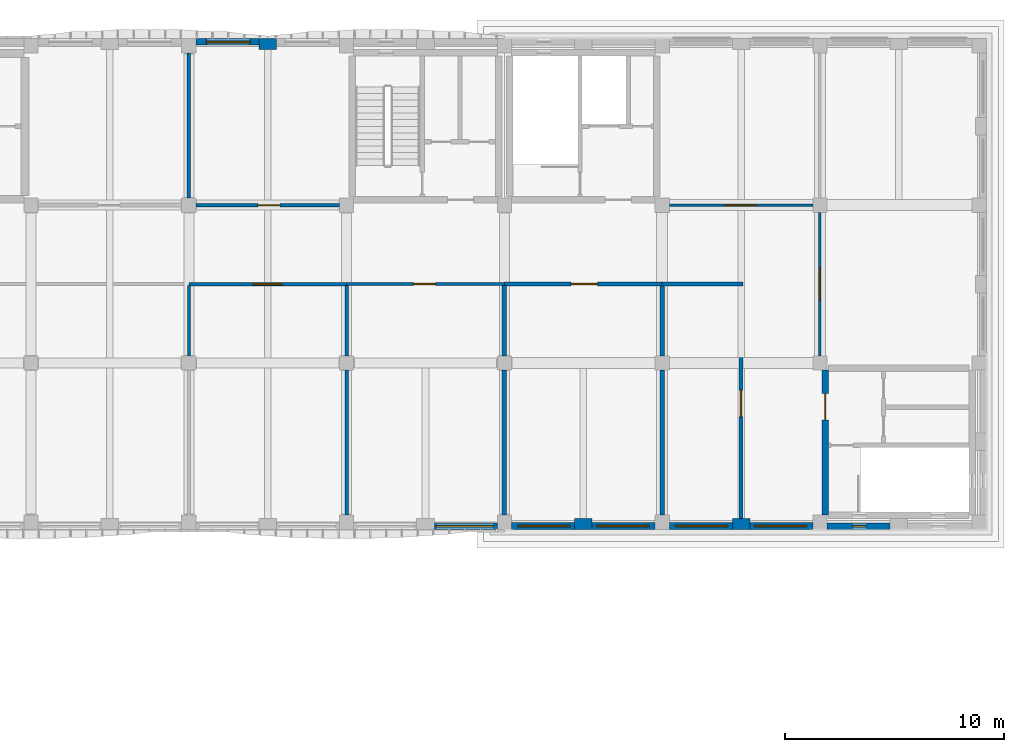
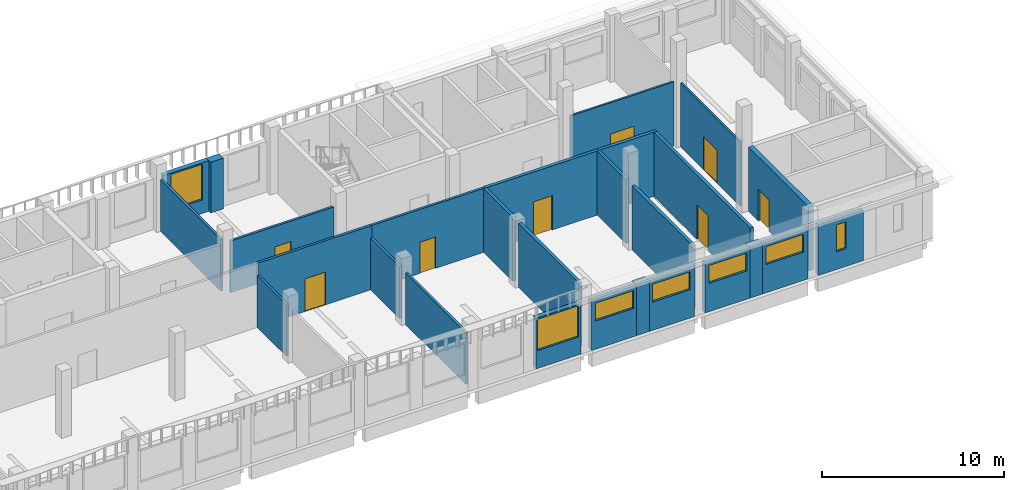
# One storey, part 30 of 58: 27 walls, 8 doors, 7 windows, 15 openings.
"""IFC4 building model written with IfcOpenShell, lengths in metres."""

from ifc_helpers import new_model, si_unit, direction, frame, frame_2d, origin, place, context, subcontext, project, spatial, rectangle, extrude, material, layer, layer_set, type_object, element, fill, save


model = new_model("IFC4")

# Units and contexts
model_context = context("Model", 3, precision=1e-05, world=origin(), true_north=direction((0.0, 1.0)))
body_context = subcontext(model_context, "Body", "Model", "MODEL_VIEW")
ifc_project = project(units=[si_unit("LENGTHUNIT", "METRE"), si_unit("AREAUNIT", "SQUARE_METRE"), si_unit("VOLUMEUNIT", "CUBIC_METRE"), si_unit("PLANEANGLEUNIT", "RADIAN"), si_unit("MASSUNIT", "GRAM", prefix="KILO")], contexts=[model_context])

# Site, building, storey
site_placement = place(None, origin())
site = spatial("IfcSite", under=ifc_project, at=site_placement, CompositionType="ELEMENT")
building_placement = place(site_placement, origin())
building = spatial("IfcBuilding", under=site, at=building_placement, Name="Ussher Court Research Institute", CompositionType="ELEMENT")
storey_placement = place(building_placement, frame((0.0, 0.0, 9.89990234375)))
storey = spatial("IfcBuildingStorey", under=building, at=storey_placement, Name="L02", CompositionType="ELEMENT", Elevation=9.89990234375)

# Wall, opening, door
ifc_material_1 = material(Name="Insulated sandwich wall panel")
ifc_layer_1 = layer(ifc_material_1, 0.1201171875)
ifc_layer_set_1 = layer_set([ifc_layer_1], Name="Insulated sandwich wall panel")
wall_type_1 = type_object("IfcWallType", Name="Clean-room panel 120 EI 60", PredefinedType="PARTITIONING", material=ifc_layer_set_1)
wall_1_placement = place(storey_placement, frame((89.72509765625, 83.199951171875, 0.0), z_axis=(0.0, 0.0, 1.0), x_axis=(1.0, 0.0, 0.0)))
wall_1 = element("IfcWall", 1, at=wall_1_placement, inside=storey, type_object=wall_type_1, Name="Fire partition", PredefinedType="PARTITIONING", context=body_context, shape_type="SweptSolid", body=[
    extrude(rectangle(XDim=6.5498046875, YDim=0.1201171875, at=frame_2d((3.27490234375, 0.0))), origin(), (0.0, 0.0, 1.0), 4.300048828125),
])
opening_1_placement = place(wall_1_placement, frame((2.52490234375, 0.0, 0.0)))
opening_1 = element("IfcOpeningElement", 2, at=opening_1_placement, cuts=wall_1, Name="Opening D02062", PredefinedType="OPENING", context=body_context, shape_type="SweptSolid", body=[
    extrude(rectangle(XDim=1.5, YDim=2.199951171875, at=frame_2d((0.75, 1.10009765625))), frame((0.0, 0.070068359375, 0.0), z_axis=(0.0, -1.0, 0.0), x_axis=(1.0, 0.0, 0.0)), (0.0, 0.0, 1.0), 0.14013671875),
])
ifc_material_2 = material(Name="Painted steel faced fire door", Category="steel")
door_type_1 = type_object("IfcDoorType", Name="Clean-room door 1500x2200 FD60", OperationType="NOTDEFINED", PredefinedType="DOOR", material=ifc_material_2)
door_1_placement = place(opening_1_placement, origin())
door_1 = element("IfcDoor", 3, at=door_1_placement, inside=storey, type_object=door_type_1, Name="Door D02062", OperationType="SINGLE_SWING_LEFT", OverallHeight=2.199951171875, OverallWidth=1.5, PredefinedType="DOOR", context=body_context, shape_type="SweptSolid", body=[
    extrude(rectangle(XDim=1.5, YDim=2.199951171875, at=frame_2d((0.75, 1.10009765625))), frame((0.0, 0.02490234375, 0.0), z_axis=(0.0, -1.0, 0.0), x_axis=(1.0, 0.0, 0.0)), (0.0, 0.0, 1.0), 0.050048828125),
])
fill(opening_1, door_1)

wall_2_placement = place(storey_placement, frame((96.60009765625, 82.875, 0.0), z_axis=(0.0, 0.0, 1.0), x_axis=(0.0, -1.0, 0.0)))
wall_2 = element("IfcWall", 4, at=wall_2_placement, inside=storey, type_object=wall_type_1, Name="Fire partition", PredefinedType="PARTITIONING", context=body_context, shape_type="SweptSolid", body=[
    extrude(rectangle(XDim=6.550048828125, YDim=0.1201171875, at=frame_2d((3.27490234375, 0.0))), origin(), (0.0, 0.0, 1.0), 4.300048828125),
])
opening_2_placement = place(wall_2_placement, frame((2.52490234375, 0.0, 0.0)))
opening_2 = element("IfcOpeningElement", 5, at=opening_2_placement, cuts=wall_2, Name="Opening D02067", PredefinedType="OPENING", context=body_context, shape_type="SweptSolid", body=[
    extrude(rectangle(XDim=1.5, YDim=2.199951171875, at=frame_2d((0.75, 1.10009765625))), frame((0.0, 0.070068359375, 0.0), z_axis=(0.0, -1.0, 0.0), x_axis=(1.0, 0.0, 0.0)), (0.0, 0.0, 1.0), 0.14013671875),
])
door_2_placement = place(opening_2_placement, origin())
door_2 = element("IfcDoor", 6, at=door_2_placement, inside=storey, type_object=door_type_1, Name="Door D02067", OperationType="SINGLE_SWING_RIGHT", OverallHeight=2.199951171875, OverallWidth=1.5, PredefinedType="DOOR", context=body_context, shape_type="SweptSolid", body=[
    extrude(rectangle(XDim=1.5, YDim=2.199951171875, at=frame_2d((0.75, 1.10009765625))), frame((0.0, 0.02490234375, 0.0), z_axis=(0.0, -1.0, 0.0), x_axis=(1.0, 0.0, 0.0)), (0.0, 0.0, 1.0), 0.050048828125),
])
fill(opening_2, door_2)

# Wall, opening, window
ifc_material_3 = material(Name="Faience facing on insulated blockwork", Category="masonry")
ifc_layer_2 = layer(ifc_material_3, 0.320068359375)
ifc_layer_set_2 = layer_set([ifc_layer_2], Name="Faience facing on insulated blockwork")
wall_type_2 = type_object("IfcWallType", Name="Clean-room wall 320 faience faced insulated panel", PredefinedType="SOLIDWALL", material=ifc_layer_set_2)
wall_3_placement = place(storey_placement, frame((96.27490234375, 68.56005859375, 0.0), z_axis=(0.0, 0.0, 1.0), x_axis=(-1.0, 0.0, 0.0)))
wall_3 = element("IfcWall", 7, at=wall_3_placement, inside=storey, type_object=wall_type_2, Name="External wall EW3 L02", PredefinedType="SOLIDWALL", context=body_context, shape_type="SweptSolid", body=[
    extrude(rectangle(XDim=2.875, YDim=0.320068359375, at=frame_2d((1.4375, 0.0))), origin(), (0.0, 0.0, 1.0), 3.400146484375),
])
opening_3_placement = place(wall_3_placement, frame((0.27490234375, 0.0, 1.89990234375)))
opening_3 = element("IfcOpeningElement", 8, at=opening_3_placement, cuts=wall_3, Name="Opening W04", PredefinedType="OPENING", context=body_context, shape_type="SweptSolid", body=[
    extrude(rectangle(XDim=2.39990234375, YDim=1.199951171875, at=frame_2d((1.199951171875, 0.60009765625))), frame((0.0, 0.169921875, 0.0), z_axis=(0.0, -1.0, 0.0), x_axis=(1.0, 0.0, 0.0)), (0.0, 0.0, 1.0), 0.340087890625),
])
ifc_material_4 = material(Name="Bronze anodised aluminium with double glazing", Category="aluminium")
window_type_1 = type_object("IfcWindowType", Name="Clean-room clerestory window 2400x1200", PartitioningType="TRIPLE_PANEL_HORIZONTAL", PredefinedType="WINDOW", material=ifc_material_4)
window_1_placement = place(opening_3_placement, origin())
window_1 = element("IfcWindow", 9, at=window_1_placement, inside=storey, type_object=window_type_1, Name="Window W04 L02", OverallHeight=1.199951171875, OverallWidth=2.39990234375, PartitioningType="SINGLE_PANEL", PredefinedType="WINDOW", context=body_context, shape_type="SweptSolid", body=[
    extrude(rectangle(XDim=2.39990234375, YDim=1.199951171875, at=frame_2d((1.199951171875, 0.60009765625))), frame((0.0, 0.030029296875, 0.0), z_axis=(0.0, -1.0, 0.0), x_axis=(1.0, 0.0, 0.0)), (0.0, 0.0, 1.0), 0.06005859375),
])
fill(opening_3, window_1)

wall_4_placement = place(storey_placement, frame((92.60009765625, 68.56005859375, 0.0), z_axis=(0.0, 0.0, 1.0), x_axis=(-1.0, 0.0, 0.0)))
wall_4 = element("IfcWall", 10, at=wall_4_placement, inside=storey, type_object=wall_type_2, Name="External wall EW3 L02", PredefinedType="SOLIDWALL", context=body_context, shape_type="SweptSolid", body=[
    extrude(rectangle(XDim=2.875, YDim=0.320068359375, at=frame_2d((1.4375, 0.0))), origin(), (0.0, 0.0, 1.0), 3.400146484375),
])
opening_4_placement = place(wall_4_placement, frame((0.199951171875, 0.0, 1.89990234375)))
opening_4 = element("IfcOpeningElement", 11, at=opening_4_placement, cuts=wall_4, Name="Opening W04", PredefinedType="OPENING", context=body_context, shape_type="SweptSolid", body=[
    extrude(rectangle(XDim=2.39990234375, YDim=1.199951171875, at=frame_2d((1.199951171875, 0.60009765625))), frame((0.0, 0.169921875, 0.0), z_axis=(0.0, -1.0, 0.0), x_axis=(1.0, 0.0, 0.0)), (0.0, 0.0, 1.0), 0.340087890625),
])
window_2_placement = place(opening_4_placement, origin())
window_2 = element("IfcWindow", 12, at=window_2_placement, inside=storey, type_object=window_type_1, Name="Window W04 L02", OverallHeight=1.199951171875, OverallWidth=2.39990234375, PartitioningType="SINGLE_PANEL", PredefinedType="WINDOW", context=body_context, shape_type="SweptSolid", body=[
    extrude(rectangle(XDim=2.39990234375, YDim=1.199951171875, at=frame_2d((1.199951171875, 0.60009765625))), frame((0.0, 0.030029296875, 0.0), z_axis=(0.0, -1.0, 0.0), x_axis=(1.0, 0.0, 0.0)), (0.0, 0.0, 1.0), 0.06005859375),
])
fill(opening_4, window_2)

wall_5_placement = place(storey_placement, frame((89.074951171875, 68.56005859375, 0.0), z_axis=(0.0, 0.0, 1.0), x_axis=(-1.0, 0.0, 0.0)))
wall_5 = element("IfcWall", 13, at=wall_5_placement, inside=storey, type_object=wall_type_2, Name="External wall EW3 L02", PredefinedType="SOLIDWALL", context=body_context, shape_type="SweptSolid", body=[
    extrude(rectangle(XDim=2.875, YDim=0.320068359375, at=frame_2d((1.4375, 0.0))), origin(), (0.0, 0.0, 1.0), 3.400146484375),
])
opening_5_placement = place(wall_5_placement, frame((0.27490234375, 0.0, 1.89990234375)))
opening_5 = element("IfcOpeningElement", 14, at=opening_5_placement, cuts=wall_5, Name="Opening W04", PredefinedType="OPENING", context=body_context, shape_type="SweptSolid", body=[
    extrude(rectangle(XDim=2.39990234375, YDim=1.199951171875, at=frame_2d((1.199951171875, 0.60009765625))), frame((0.0, 0.169921875, 0.0), z_axis=(0.0, -1.0, 0.0), x_axis=(1.0, 0.0, 0.0)), (0.0, 0.0, 1.0), 0.340087890625),
])
window_3_placement = place(opening_5_placement, origin())
window_3 = element("IfcWindow", 15, at=window_3_placement, inside=storey, type_object=window_type_1, Name="Window W04 L02", OverallHeight=1.199951171875, OverallWidth=2.39990234375, PartitioningType="SINGLE_PANEL", PredefinedType="WINDOW", context=body_context, shape_type="SweptSolid", body=[
    extrude(rectangle(XDim=2.39990234375, YDim=1.199951171875, at=frame_2d((1.199951171875, 0.60009765625))), frame((0.0, 0.030029296875, 0.0), z_axis=(0.0, -1.0, 0.0), x_axis=(1.0, 0.0, 0.0)), (0.0, 0.0, 1.0), 0.06005859375),
])
fill(opening_5, window_3)

wall_6_placement = place(storey_placement, frame((85.39990234375, 68.56005859375, 0.0), z_axis=(0.0, 0.0, 1.0), x_axis=(-1.0, 0.0, 0.0)))
wall_6 = element("IfcWall", 16, at=wall_6_placement, inside=storey, type_object=wall_type_2, Name="External wall EW3 L02", PredefinedType="SOLIDWALL", context=body_context, shape_type="SweptSolid", body=[
    extrude(rectangle(XDim=2.875, YDim=0.320068359375, at=frame_2d((1.4375, 0.0))), origin(), (0.0, 0.0, 1.0), 3.400146484375),
])
opening_6_placement = place(wall_6_placement, frame((0.199951171875, 0.0, 1.89990234375)))
opening_6 = element("IfcOpeningElement", 17, at=opening_6_placement, cuts=wall_6, Name="Opening W04", PredefinedType="OPENING", context=body_context, shape_type="SweptSolid", body=[
    extrude(rectangle(XDim=2.39990234375, YDim=1.199951171875, at=frame_2d((1.199951171875, 0.60009765625))), frame((0.0, 0.169921875, 0.0), z_axis=(0.0, -1.0, 0.0), x_axis=(1.0, 0.0, 0.0)), (0.0, 0.0, 1.0), 0.340087890625),
])
window_4_placement = place(opening_6_placement, origin())
window_4 = element("IfcWindow", 18, at=window_4_placement, inside=storey, type_object=window_type_1, Name="Window W04 L02", OverallHeight=1.199951171875, OverallWidth=2.39990234375, PartitioningType="SINGLE_PANEL", PredefinedType="WINDOW", context=body_context, shape_type="SweptSolid", body=[
    extrude(rectangle(XDim=2.39990234375, YDim=1.199951171875, at=frame_2d((1.199951171875, 0.60009765625))), frame((0.0, 0.030029296875, 0.0), z_axis=(0.0, -1.0, 0.0), x_axis=(1.0, 0.0, 0.0)), (0.0, 0.0, 1.0), 0.06005859375),
])
fill(opening_6, window_4)

ifc_material_5 = material(Name="Blockwork with cream render", Category="masonry")
ifc_layer_3 = layer(ifc_material_5, 0.300048828125)
ifc_layer_set_3 = layer_set([ifc_layer_3], Name="Blockwork with cream render")
wall_type_3 = type_object("IfcWallType", Name="External wall 300 cream render", PredefinedType="SOLIDWALL", material=ifc_layer_set_3)
wall_7_placement = place(storey_placement, frame((68.125, 90.64990234375, 0.0), z_axis=(0.0, 0.0, 1.0), x_axis=(1.0, 0.0, 0.0)))
wall_7 = element("IfcWall", 19, at=wall_7_placement, inside=storey, type_object=wall_type_3, Name="External wall EW1 L02", PredefinedType="SOLIDWALL", context=body_context, shape_type="SweptSolid", body=[
    extrude(rectangle(XDim=2.875, YDim=0.300048828125, at=frame_2d((1.4375, 0.0))), origin(), (0.0, 0.0, 1.0), 3.400146484375),
])
opening_7_placement = place(wall_7_placement, frame((0.47509765625, 0.0, 0.89990234375)))
opening_7 = element("IfcOpeningElement", 20, at=opening_7_placement, cuts=wall_7, Name="Opening W14", PredefinedType="OPENING", context=body_context, shape_type="SweptSolid", body=[
    extrude(rectangle(XDim=2.0, YDim=2.39990234375, at=frame_2d((1.0, 1.199951171875))), frame((0.0, 0.16015625, 0.0), z_axis=(0.0, -1.0, 0.0), x_axis=(1.0, 0.0, 0.0)), (0.0, 0.0, 1.0), 0.320068359375),
])
ifc_material_6 = material(Name="Bronze anodised aluminium with double glazing", Category="aluminium")
window_type_2 = type_object("IfcWindowType", Name="Seminar and write-up office window 2000x2400", PartitioningType="DOUBLE_PANEL_VERTICAL", PredefinedType="WINDOW", material=ifc_material_6)
window_5_placement = place(opening_7_placement, origin())
window_5 = element("IfcWindow", 21, at=window_5_placement, inside=storey, type_object=window_type_2, Name="Window W14 L02", OverallHeight=2.39990234375, OverallWidth=2.0, PartitioningType="SINGLE_PANEL", PredefinedType="WINDOW", context=body_context, shape_type="SweptSolid", body=[
    extrude(rectangle(XDim=2.0, YDim=2.39990234375, at=frame_2d((1.0, 1.199951171875))), frame((0.0, 0.030029296875, 0.0), z_axis=(0.0, -1.0, 0.0), x_axis=(1.0, 0.0, 0.0)), (0.0, 0.0, 1.0), 0.06005859375),
])
fill(opening_7, window_5)

wall_8_placement = place(storey_placement, frame((81.875, 68.550048828125, 0.0), z_axis=(0.0, 0.0, 1.0), x_axis=(-1.0, 0.0, 0.0)))
wall_8 = element("IfcWall", 22, at=wall_8_placement, inside=storey, type_object=wall_type_3, Name="External wall EW1 L02", PredefinedType="SOLIDWALL", context=body_context, shape_type="SweptSolid", body=[
    extrude(rectangle(XDim=2.875, YDim=0.300048828125, at=frame_2d((1.4375, 0.0))), origin(), (0.0, 0.0, 1.0), 3.400146484375),
])
opening_8_placement = place(wall_8_placement, frame((0.175048828125, 0.0, 1.199951171875)))
opening_8 = element("IfcOpeningElement", 23, at=opening_8_placement, cuts=wall_8, Name="Opening W08", PredefinedType="OPENING", context=body_context, shape_type="SweptSolid", body=[
    extrude(rectangle(XDim=2.60009765625, YDim=2.10009765625, at=frame_2d((1.300048828125, 1.050048828125))), frame((0.0, 0.16015625, 0.0), z_axis=(0.0, -1.0, 0.0), x_axis=(1.0, 0.0, 0.0)), (0.0, 0.0, 1.0), 0.320068359375),
])
ifc_material_7 = material(Name="Bronze anodised aluminium with double glazing", Category="aluminium")
window_type_3 = type_object("IfcWindowType", Name="Dry laboratory bay window 2600x2100", PartitioningType="DOUBLE_PANEL_VERTICAL", PredefinedType="WINDOW", material=ifc_material_7)
window_6_placement = place(opening_8_placement, origin())
window_6 = element("IfcWindow", 24, at=window_6_placement, inside=storey, type_object=window_type_3, Name="Window W08 L02", OverallHeight=2.10009765625, OverallWidth=2.60009765625, PartitioningType="SINGLE_PANEL", PredefinedType="WINDOW", context=body_context, shape_type="SweptSolid", body=[
    extrude(rectangle(XDim=2.60009765625, YDim=2.10009765625, at=frame_2d((1.300048828125, 1.050048828125))), frame((0.0, 0.030029296875, 0.0), z_axis=(0.0, -1.0, 0.0), x_axis=(1.0, 0.0, 0.0)), (0.0, 0.0, 1.0), 0.06005859375),
])
fill(opening_8, window_6)

ifc_material_8 = material(Name="Limestone facing on blockwork", Category="masonry")
ifc_layer_4 = layer(ifc_material_8, 0.300048828125)
ifc_layer_set_4 = layer_set([ifc_layer_4], Name="Limestone facing on blockwork")
wall_type_4 = type_object("IfcWallType", Name="External wall 300 stair enclosure", PredefinedType="SOLIDWALL", material=ifc_layer_set_4)
wall_9_placement = place(storey_placement, frame((99.800048828125, 68.550048828125, 0.0), z_axis=(0.0, 0.0, 1.0), x_axis=(-1.0, 0.0, 0.0)))
wall_9 = element("IfcWall", 25, at=wall_9_placement, inside=storey, type_object=wall_type_4, Name="External wall EW5 L02", PredefinedType="SOLIDWALL", context=body_context, shape_type="SweptSolid", body=[
    extrude(rectangle(XDim=2.875, YDim=0.300048828125, at=frame_2d((1.4375, 0.0))), origin(), (0.0, 0.0, 1.0), 3.400146484375),
])
opening_9_placement = place(wall_9_placement, frame((1.10009765625, 0.0, 1.199951171875)))
opening_9 = element("IfcOpeningElement", 26, at=opening_9_placement, cuts=wall_9, Name="Opening W25", PredefinedType="OPENING", context=body_context, shape_type="SweptSolid", body=[
    extrude(rectangle(XDim=0.60009765625, YDim=1.800048828125, at=frame_2d((0.300048828125, 0.89990234375))), frame((0.0, 0.16015625, 0.0), z_axis=(0.0, -1.0, 0.0), x_axis=(1.0, 0.0, 0.0)), (0.0, 0.0, 1.0), 0.320068359375),
])
ifc_material_9 = material(Name="Bronze anodised aluminium with double glazing", Category="aluminium")
window_type_4 = type_object("IfcWindowType", Name="Stair light slot window 600x1800 fire-resisting glazing", PartitioningType="SINGLE_PANEL", PredefinedType="WINDOW", material=ifc_material_9)
window_7_placement = place(opening_9_placement, origin())
window_7 = element("IfcWindow", 27, at=window_7_placement, inside=storey, type_object=window_type_4, Name="Window W25 L02", OverallHeight=1.800048828125, OverallWidth=0.60009765625, PartitioningType="SINGLE_PANEL", PredefinedType="WINDOW", context=body_context, shape_type="SweptSolid", body=[
    extrude(rectangle(XDim=0.60009765625, YDim=1.800048828125, at=frame_2d((0.300048828125, 0.89990234375))), frame((0.0, 0.030029296875, 0.0), z_axis=(0.0, -1.0, 0.0), x_axis=(1.0, 0.0, 0.0)), (0.0, 0.0, 1.0), 0.06005859375),
])
fill(opening_9, window_7)

# Wall, opening, door
ifc_material_10 = material(Name="Plastered blockwork", Category="masonry")
ifc_layer_5 = layer(ifc_material_10, 0.14990234375)
ifc_layer_set_5 = layer_set([ifc_layer_5], Name="Plastered blockwork")
wall_type_5 = type_object("IfcWallType", Name="Fire partition blockwork 150 EI 60", PredefinedType="PARTITIONING", material=ifc_layer_set_5)
wall_10_placement = place(storey_placement, frame((82.199951171875, 79.60009765625, 0.0), z_axis=(0.0, 0.0, 1.0), x_axis=(-1.0, 0.0, 0.0)))
wall_10 = element("IfcWall", 28, at=wall_10_placement, inside=storey, type_object=wall_type_5, Name="Fire partition", PredefinedType="PARTITIONING", context=body_context, shape_type="SweptSolid", body=[
    extrude(rectangle(XDim=7.199951171875, YDim=0.14990234375, at=frame_2d((3.60009765625, 0.0))), origin(), (0.0, 0.0, 1.0), 4.300048828125),
])
opening_10_placement = place(wall_10_placement, frame((3.14990234375, 0.0, 0.0)))
opening_10 = element("IfcOpeningElement", 29, at=opening_10_placement, cuts=wall_10, Name="Opening D02040", PredefinedType="OPENING", context=body_context, shape_type="SweptSolid", body=[
    extrude(rectangle(XDim=1.0, YDim=2.10009765625, at=frame_2d((0.5, 1.050048828125))), frame((0.0, 0.0849609375, 0.0), z_axis=(0.0, -1.0, 0.0), x_axis=(1.0, 0.0, 0.0)), (0.0, 0.0, 1.0), 0.169921875),
])
ifc_material_11 = material(Name="Painted steel faced fire door", Category="steel")
door_type_2 = type_object("IfcDoorType", Name="Store door 1000x2100 FD60", OperationType="NOTDEFINED", PredefinedType="DOOR", material=ifc_material_11)
door_3_placement = place(opening_10_placement, origin())
door_3 = element("IfcDoor", 30, at=door_3_placement, inside=storey, type_object=door_type_2, Name="Door D02040", OperationType="SINGLE_SWING_RIGHT", OverallHeight=2.10009765625, OverallWidth=1.0, PredefinedType="DOOR", context=body_context, shape_type="SweptSolid", body=[
    extrude(rectangle(XDim=1.0, YDim=2.10009765625, at=frame_2d((0.5, 1.050048828125))), frame((0.0, 0.02490234375, 0.0), z_axis=(0.0, -1.0, 0.0), x_axis=(1.0, 0.0, 0.0)), (0.0, 0.0, 1.0), 0.050048828125),
])
fill(opening_10, door_3)

wall_11_placement = place(storey_placement, frame((68.125, 83.199951171875, 0.0), z_axis=(0.0, 0.0, 1.0), x_axis=(1.0, 0.0, 0.0)))
wall_11 = element("IfcWall", 31, at=wall_11_placement, inside=storey, type_object=wall_type_5, Name="Fire partition", PredefinedType="PARTITIONING", context=body_context, shape_type="SweptSolid", body=[
    extrude(rectangle(XDim=6.550048828125, YDim=0.14990234375, at=frame_2d((3.27490234375, 0.0))), origin(), (0.0, 0.0, 1.0), 3.47021484375),
])
opening_11_placement = place(wall_11_placement, frame((2.824951171875, 0.0, 0.0)))
opening_11 = element("IfcOpeningElement", 32, at=opening_11_placement, cuts=wall_11, Name="Opening D02036", PredefinedType="OPENING", context=body_context, shape_type="SweptSolid", body=[
    extrude(rectangle(XDim=1.0, YDim=2.10009765625, at=frame_2d((0.5, 1.050048828125))), frame((0.0, 0.0849609375, 0.0), z_axis=(0.0, -1.0, 0.0), x_axis=(1.0, 0.0, 0.0)), (0.0, 0.0, 1.0), 0.169921875),
])
door_4_placement = place(opening_11_placement, origin())
door_4 = element("IfcDoor", 33, at=door_4_placement, inside=storey, type_object=door_type_2, Name="Door D02036", OperationType="SINGLE_SWING_RIGHT", OverallHeight=2.10009765625, OverallWidth=1.0, PredefinedType="DOOR", context=body_context, shape_type="SweptSolid", body=[
    extrude(rectangle(XDim=1.0, YDim=2.10009765625, at=frame_2d((0.5, 1.050048828125))), frame((0.0, 0.02490234375, 0.0), z_axis=(0.0, -1.0, 0.0), x_axis=(1.0, 0.0, 0.0)), (0.0, 0.0, 1.0), 0.050048828125),
])
fill(opening_11, door_4)

# Walls
for number, where, z_axis, x_axis, name in (
    (34, (67.800048828125, 83.52490234375, 0.0), (0.0, 0.0, 1.0), (0.0, 1.0, 0.0), "Fire partition"),
    (35, (75.0, 69.050048828125, 0.0), (0.0, 0.0, 1.0), (0.0, 1.0, 0.0), "Fire partition"),
):
    element("IfcWall", number, at=place(storey_placement, frame(where, z_axis=z_axis, x_axis=x_axis)), inside=storey, type_object=wall_type_5, Name=name, PredefinedType="PARTITIONING", context=body_context, shape_type="SweptSolid", body=[
        extrude(rectangle(XDim=6.625, YDim=0.14990234375, at=frame_2d((3.3125, 0.0))), origin(), (0.0, 0.0, 1.0), 3.47021484375),
    ])
wall_12_placement = place(storey_placement, frame((75.0, 76.324951171875, 0.0), z_axis=(0.0, 0.0, 1.0), x_axis=(0.0, 1.0, 0.0)))
element("IfcWall", 36, at=wall_12_placement, inside=storey, type_object=wall_type_5, Name="Fire partition", PredefinedType="PARTITIONING", context=body_context, shape_type="SweptSolid", body=[
    extrude(rectangle(XDim=3.199951171875, YDim=0.14990234375, at=frame_2d((1.60009765625, 0.0))), origin(), (0.0, 0.0, 1.0), 3.47021484375),
])

# Wall, opening, door
ifc_material_12 = material(Name="Dense concrete blockwork", Category="masonry")
ifc_layer_6 = layer(ifc_material_12, 0.159912109375)
ifc_layer_set_6 = layer_set([ifc_layer_6], Name="Dense concrete blockwork")
wall_type_6 = type_object("IfcWallType", Name="Instrument room dense block partition 160", PredefinedType="PARTITIONING", material=ifc_layer_set_6)
wall_13_placement = place(storey_placement, frame((75.0, 79.60009765625, 0.0), z_axis=(0.0, 0.0, 1.0), x_axis=(-1.0, 0.0, 0.0)))
wall_13 = element("IfcWall", 37, at=wall_13_placement, inside=storey, type_object=wall_type_6, Name="Partition", PredefinedType="PARTITIONING", context=body_context, shape_type="SweptSolid", body=[
    extrude(rectangle(XDim=7.199951171875, YDim=0.159912109375, at=frame_2d((3.60009765625, 0.0))), origin(), (0.0, 0.0, 1.0), 4.300048828125),
])
opening_12_placement = place(wall_13_placement, frame((2.949951171875, 0.0, 0.0)))
opening_12 = element("IfcOpeningElement", 38, at=opening_12_placement, cuts=wall_13, Name="Opening D02034", PredefinedType="OPENING", context=body_context, shape_type="SweptSolid", body=[
    extrude(rectangle(XDim=1.300048828125, YDim=2.199951171875, at=frame_2d((0.64990234375, 1.10009765625))), frame((0.0, 0.08984375, 0.0), z_axis=(0.0, -1.0, 0.0), x_axis=(1.0, 0.0, 0.0)), (0.0, 0.0, 1.0), 0.179931640625),
])
ifc_material_13 = material(Name="Veneered timber door", Category="wood")
door_type_3 = type_object("IfcDoorType", Name="Instrument room door 1300x2200", OperationType="NOTDEFINED", PredefinedType="DOOR", material=ifc_material_13)
door_5_placement = place(opening_12_placement, origin())
door_5 = element("IfcDoor", 39, at=door_5_placement, inside=storey, type_object=door_type_3, Name="Door D02034", OperationType="SINGLE_SWING_LEFT", OverallHeight=2.199951171875, OverallWidth=1.300048828125, PredefinedType="DOOR", context=body_context, shape_type="SweptSolid", body=[
    extrude(rectangle(XDim=1.300048828125, YDim=2.199951171875, at=frame_2d((0.64990234375, 1.10009765625))), frame((0.0, 0.02490234375, 0.0), z_axis=(0.0, -1.0, 0.0), x_axis=(1.0, 0.0, 0.0)), (0.0, 0.0, 1.0), 0.050048828125),
])
fill(opening_12, door_5)

# Walls
ifc_material_14 = material(Name="Plastered blockwork", Category="masonry")
ifc_layer_7 = layer(ifc_material_14, 0.139892578125)
ifc_layer_set_7 = layer_set([ifc_layer_7], Name="Plastered blockwork")
wall_type_7 = type_object("IfcWallType", Name="Laboratory blockwork partition 140", PredefinedType="PARTITIONING", material=ifc_layer_set_7)
wall_14_placement = place(storey_placement, frame((67.800048828125, 76.324951171875, 0.0), z_axis=(0.0, 0.0, 1.0), x_axis=(0.0, 1.0, 0.0)))
element("IfcWall", 40, at=wall_14_placement, inside=storey, type_object=wall_type_7, Name="Partition", PredefinedType="PARTITIONING", context=body_context, shape_type="SweptSolid", body=[
    extrude(rectangle(XDim=3.205078125, YDim=0.139892578125, at=frame_2d((1.6025390625, 0.0))), origin(), (0.0, 0.0, 1.0), 3.47021484375),
])
ifc_material_15 = material(Name="Blockwork with cream render", Category="masonry")
ifc_layer_8 = layer(ifc_material_15, 0.5)
ifc_layer_set_8 = layer_set([ifc_layer_8], Name="Blockwork with cream render")
wall_type_8 = type_object("IfcWallType", Name="Pier 800x500 cream render", PredefinedType="SOLIDWALL", material=ifc_layer_set_8)
wall_15_placement = place(storey_placement, frame((71.0, 90.550048828125, 0.0), z_axis=(0.0, 0.0, 1.0), x_axis=(1.0, 0.0, 0.0)))
element("IfcWall", 41, at=wall_15_placement, inside=storey, type_object=wall_type_8, Name="Pier PR1 L02", PredefinedType="SOLIDWALL", context=body_context, shape_type="SweptSolid", body=[
    extrude(rectangle(XDim=0.800048828125, YDim=0.5, at=frame_2d((0.39990234375, 0.0))), origin(), (0.0, 0.0, 1.0), 3.400146484375),
])
ifc_material_16 = material(Name="Rusticated limestone facing on blockwork", Category="masonry")
ifc_layer_9 = layer(ifc_material_16, 0.5)
ifc_layer_set_9 = layer_set([ifc_layer_9], Name="Rusticated limestone facing on blockwork")
wall_type_9 = type_object("IfcWallType", Name="Pier 800x500 rusticated limestone", PredefinedType="SOLIDWALL", material=ifc_layer_set_9)
wall_16_placement = place(storey_placement, frame((93.39990234375, 68.64990234375, 0.0), z_axis=(0.0, 0.0, 1.0), x_axis=(-1.0, 0.0, 0.0)))
element("IfcWall", 42, at=wall_16_placement, inside=storey, type_object=wall_type_9, Name="Pier PR2 L02", PredefinedType="SOLIDWALL", context=body_context, shape_type="SweptSolid", body=[
    extrude(rectangle(XDim=0.7998046875, YDim=0.5, at=frame_2d((0.39990234375, 0.0))), origin(), (0.0, 0.0, 1.0), 3.400146484375),
])
wall_17_placement = place(storey_placement, frame((86.199951171875, 68.64990234375, 0.0), z_axis=(0.0, 0.0, 1.0), x_axis=(-1.0, 0.0, 0.0)))
element("IfcWall", 43, at=wall_17_placement, inside=storey, type_object=wall_type_9, Name="Pier PR2 L02", PredefinedType="SOLIDWALL", context=body_context, shape_type="SweptSolid", body=[
    extrude(rectangle(XDim=0.800048828125, YDim=0.5, at=frame_2d((0.39990234375, 0.0))), origin(), (0.0, 0.0, 1.0), 3.400146484375),
])

# Wall, opening, door
ifc_material_17 = material(Name="Dense concrete blockwork", Category="masonry")
ifc_layer_10 = layer(ifc_material_17, 0.199951171875)
ifc_layer_set_10 = layer_set([ifc_layer_10], Name="Dense concrete blockwork")
wall_type_10 = type_object("IfcWallType", Name="Plant room dense block 200 EI 60", PredefinedType="PARTITIONING", material=ifc_layer_set_10)
wall_18_placement = place(storey_placement, frame((89.39990234375, 79.60009765625, 0.0), z_axis=(0.0, 0.0, 1.0), x_axis=(-1.0, 0.0, 0.0)))
wall_18 = element("IfcWall", 44, at=wall_18_placement, inside=storey, type_object=wall_type_10, Name="Fire partition", PredefinedType="PARTITIONING", context=body_context, shape_type="SweptSolid", body=[
    extrude(rectangle(XDim=7.199951171875, YDim=0.199951171875, at=frame_2d((3.60009765625, 0.0))), origin(), (0.0, 0.0, 1.0), 4.300048828125),
])
opening_13_placement = place(wall_18_placement, frame((2.949951171875, 0.0, 0.0)))
opening_13 = element("IfcOpeningElement", 45, at=opening_13_placement, cuts=wall_18, Name="Opening D02049", PredefinedType="OPENING", context=body_context, shape_type="SweptSolid", body=[
    extrude(rectangle(XDim=1.199951171875, YDim=2.300048828125, at=frame_2d((0.60009765625, 1.14990234375))), frame((0.0, 0.10986328125, 0.0), z_axis=(0.0, -1.0, 0.0), x_axis=(1.0, 0.0, 0.0)), (0.0, 0.0, 1.0), 0.219970703125),
])
ifc_material_18 = material(Name="Painted steel faced fire door", Category="steel")
door_type_4 = type_object("IfcDoorType", Name="Plant room door 1200x2300 FD60", OperationType="NOTDEFINED", PredefinedType="DOOR", material=ifc_material_18)
door_6_placement = place(opening_13_placement, origin())
door_6 = element("IfcDoor", 46, at=door_6_placement, inside=storey, type_object=door_type_4, Name="Door D02049", OperationType="SINGLE_SWING_LEFT", OverallHeight=2.300048828125, OverallWidth=1.199951171875, PredefinedType="DOOR", context=body_context, shape_type="SweptSolid", body=[
    extrude(rectangle(XDim=1.199951171875, YDim=2.300048828125, at=frame_2d((0.60009765625, 1.14990234375))), frame((0.0, 0.02490234375, 0.0), z_axis=(0.0, -1.0, 0.0), x_axis=(1.0, 0.0, 0.0)), (0.0, 0.0, 1.0), 0.050048828125),
])
fill(opening_13, door_6)

# Walls
wall_19_placement = place(storey_placement, frame((89.39990234375, 79.60009765625, 0.0), z_axis=(0.0, 0.0, 1.0), x_axis=(1.0, 0.0, 0.0)))
element("IfcWall", 47, at=wall_19_placement, inside=storey, type_object=wall_type_10, Name="Fire partition", PredefinedType="PARTITIONING", context=body_context, shape_type="SweptSolid", body=[
    extrude(rectangle(XDim=3.7001953125, YDim=0.199951171875, at=frame_2d((1.85009765625, 0.0))), origin(), (0.0, 0.0, 1.0), 4.300048828125),
])
wall_20_placement = place(storey_placement, frame((82.199951171875, 69.050048828125, 0.0), z_axis=(0.0, 0.0, 1.0), x_axis=(0.0, 1.0, 0.0)))
element("IfcWall", 48, at=wall_20_placement, inside=storey, type_object=wall_type_10, Name="Fire partition", PredefinedType="PARTITIONING", context=body_context, shape_type="SweptSolid", body=[
    extrude(rectangle(XDim=6.625, YDim=0.199951171875, at=frame_2d((3.3125, 0.0))), origin(), (0.0, 0.0, 1.0), 4.300048828125),
])
wall_21_placement = place(storey_placement, frame((82.199951171875, 76.324951171875, 0.0), z_axis=(0.0, 0.0, 1.0), x_axis=(0.0, 1.0, 0.0)))
element("IfcWall", 49, at=wall_21_placement, inside=storey, type_object=wall_type_10, Name="Fire partition", PredefinedType="PARTITIONING", context=body_context, shape_type="SweptSolid", body=[
    extrude(rectangle(XDim=3.199951171875, YDim=0.199951171875, at=frame_2d((1.60009765625, 0.0))), origin(), (0.0, 0.0, 1.0), 4.300048828125),
])
wall_22_placement = place(storey_placement, frame((89.39990234375, 69.050048828125, 0.0), z_axis=(0.0, 0.0, 1.0), x_axis=(0.0, 1.0, 0.0)))
element("IfcWall", 50, at=wall_22_placement, inside=storey, type_object=wall_type_10, Name="Fire partition", PredefinedType="PARTITIONING", context=body_context, shape_type="SweptSolid", body=[
    extrude(rectangle(XDim=6.625, YDim=0.199951171875, at=frame_2d((3.3125, 0.0))), origin(), (0.0, 0.0, 1.0), 4.300048828125),
])
wall_23_placement = place(storey_placement, frame((89.39990234375, 76.324951171875, 0.0), z_axis=(0.0, 0.0, 1.0), x_axis=(0.0, 1.0, 0.0)))
element("IfcWall", 51, at=wall_23_placement, inside=storey, type_object=wall_type_10, Name="Fire partition", PredefinedType="PARTITIONING", context=body_context, shape_type="SweptSolid", body=[
    extrude(rectangle(XDim=3.175048828125, YDim=0.199951171875, at=frame_2d((1.58740234375, 0.0))), origin(), (0.0, 0.0, 1.0), 4.300048828125),
])

# Wall, opening, door
wall_24_placement = place(storey_placement, frame((93.0, 68.89990234375, 0.0), z_axis=(0.0, 0.0, 1.0), x_axis=(0.0, 1.0, 0.0)))
wall_24 = element("IfcWall", 52, at=wall_24_placement, inside=storey, type_object=wall_type_10, Name="Fire partition", PredefinedType="PARTITIONING", context=body_context, shape_type="SweptSolid", body=[
    extrude(rectangle(XDim=10.60009765625, YDim=0.199951171875, at=frame_2d((5.300048828125, 0.0))), origin(), (0.0, 0.0, 1.0), 4.300048828125),
])
opening_14_placement = place(wall_24_placement, frame((4.64990234375, 0.0, 0.0)))
opening_14 = element("IfcOpeningElement", 53, at=opening_14_placement, cuts=wall_24, Name="Opening D02061", PredefinedType="OPENING", context=body_context, shape_type="SweptSolid", body=[
    extrude(rectangle(XDim=1.199951171875, YDim=2.300048828125, at=frame_2d((0.60009765625, 1.14990234375))), frame((0.0, 0.10986328125, 0.0), z_axis=(0.0, -1.0, 0.0), x_axis=(1.0, 0.0, 0.0)), (0.0, 0.0, 1.0), 0.219970703125),
])
door_7_placement = place(opening_14_placement, origin())
door_7 = element("IfcDoor", 54, at=door_7_placement, inside=storey, type_object=door_type_4, Name="Door D02061", OperationType="SINGLE_SWING_LEFT", OverallHeight=2.300048828125, OverallWidth=1.199951171875, PredefinedType="DOOR", context=body_context, shape_type="SweptSolid", body=[
    extrude(rectangle(XDim=1.199951171875, YDim=2.300048828125, at=frame_2d((0.60009765625, 1.14990234375))), frame((0.0, 0.02490234375, 0.0), z_axis=(0.0, -1.0, 0.0), x_axis=(1.0, 0.0, 0.0)), (0.0, 0.0, 1.0), 0.050048828125),
])
fill(opening_14, door_7)

ifc_material_19 = material(Name="Concrete C35/45", Category="concrete")
ifc_layer_11 = layer(ifc_material_19, 0.300048828125)
ifc_layer_set_11 = layer_set([ifc_layer_11], Name="Concrete C35/45")
wall_type_11 = type_object("IfcWallType", Name="RC core wall 300", PredefinedType="SHEAR", material=ifc_layer_set_11)
wall_25_placement = place(storey_placement, frame((96.85009765625, 75.675048828125, 0.0), z_axis=(0.0, 0.0, 1.0), x_axis=(0.0, -1.0, 0.0)))
wall_25 = element("IfcWall", 55, at=wall_25_placement, inside=storey, type_object=wall_type_11, Name="Core wall C2", PredefinedType="SHEAR", context=body_context, shape_type="SweptSolid", body=[
    extrude(rectangle(XDim=6.625, YDim=0.300048828125, at=frame_2d((3.3125, 0.0))), origin(), (0.0, 0.0, 1.0), 4.300048828125),
])
opening_15_placement = place(wall_25_placement, frame((1.074951171875, 0.0, 0.0)))
opening_15 = element("IfcOpeningElement", 56, at=opening_15_placement, cuts=wall_25, Name="Opening D02068", PredefinedType="OPENING", context=body_context, shape_type="SweptSolid", body=[
    extrude(rectangle(XDim=1.199951171875, YDim=2.10009765625, at=frame_2d((0.60009765625, 1.050048828125))), frame((0.0, 0.16015625, 0.0), z_axis=(0.0, -1.0, 0.0), x_axis=(1.0, 0.0, 0.0)), (0.0, 0.0, 1.0), 0.320068359375),
])
ifc_material_20 = material(Name="Painted steel faced fire door", Category="steel")
door_type_5 = type_object("IfcDoorType", Name="Fire door 1200x2100 FD60", OperationType="NOTDEFINED", PredefinedType="DOOR", material=ifc_material_20)
door_8_placement = place(opening_15_placement, origin())
door_8 = element("IfcDoor", 57, at=door_8_placement, inside=storey, type_object=door_type_5, Name="Door D02068", OperationType="SINGLE_SWING_LEFT", OverallHeight=2.10009765625, OverallWidth=1.199951171875, PredefinedType="DOOR", context=body_context, shape_type="SweptSolid", body=[
    extrude(rectangle(XDim=1.199951171875, YDim=2.10009765625, at=frame_2d((0.60009765625, 1.050048828125))), frame((0.0, 0.02490234375, 0.0), z_axis=(0.0, -1.0, 0.0), x_axis=(1.0, 0.0, 0.0)), (0.0, 0.0, 1.0), 0.050048828125),
])
fill(opening_15, door_8)

save(model, "model.ifc")
